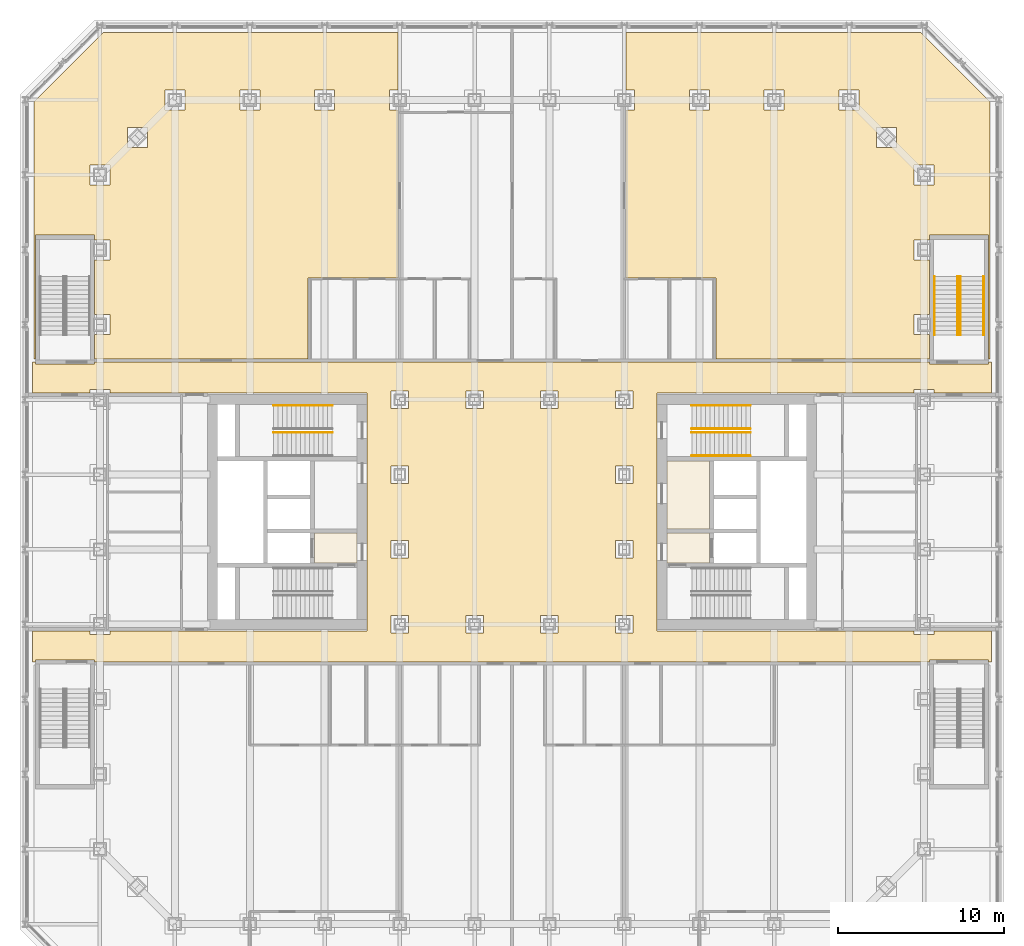
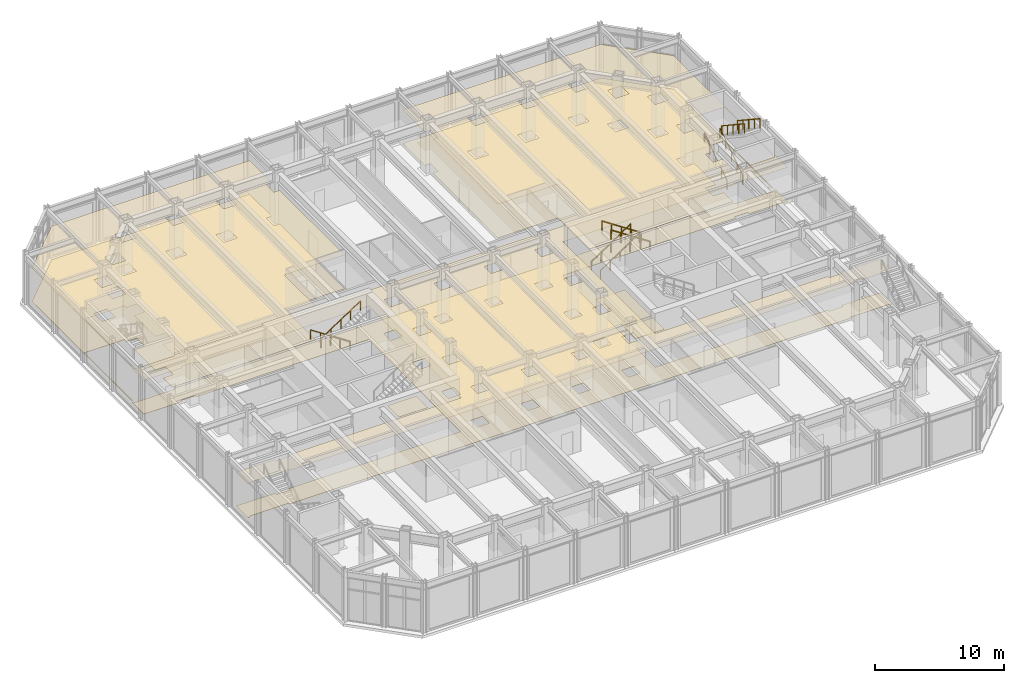
# One storey, part 19 of 19: 10 railings, 2 coverings.
"""IFC4 building model written with IfcOpenShell, lengths in metres."""

from ifc_helpers import new_model, si_unit, direction, frame, origin, origin_2d, place, context, subcontext, project, spatial, line, indexed_curve, circle, outline, extrude, material, layer, layer_set, type_object, element, save


model = new_model("IFC4")

# Units and contexts
model_context = context("Model", 3, precision=1e-05, world=origin(), true_north=direction((0.0, 1.0)))
body_context = subcontext(model_context, "Body", "Model", "MODEL_VIEW")
ifc_project = project(units=[si_unit("LENGTHUNIT", "METRE"), si_unit("AREAUNIT", "SQUARE_METRE"), si_unit("VOLUMEUNIT", "CUBIC_METRE"), si_unit("PLANEANGLEUNIT", "RADIAN"), si_unit("MASSUNIT", "GRAM", prefix="KILO")], contexts=[model_context])

# Site, building, storey
site_placement = place(None, origin())
site = spatial("IfcSite", under=ifc_project, at=site_placement, CompositionType="ELEMENT")
building_placement = place(site_placement, origin())
building = spatial("IfcBuilding", under=site, at=building_placement, Name="Msasa Ring Tower", CompositionType="ELEMENT")
storey_placement = place(building_placement, frame((0.0, 0.0, 11.0)))
storey = spatial("IfcBuildingStorey", under=building, at=storey_placement, Name="L02", CompositionType="ELEMENT", Elevation=11.0)

# Coverings
ifc_material_1 = material(Name="Gypsum plasterboard on a steel suspension grid", Category="steel")
ifc_layer_1 = layer(ifc_material_1, 0.014892578125)
ifc_layer_set_1 = layer_set([ifc_layer_1], Name="C1 SUSPENDED PLASTERBOARD CEILING 15")
covering_type_1 = type_object("IfcCoveringType", Name="C1 SUSPENDED PLASTERBOARD CEILING 15", PredefinedType="CEILING", material=ifc_layer_set_1)
covering_1_placement = place(storey_placement, frame((0.0, 0.0, 3.199951171875)))
element("IfcCovering", 1, at=covering_1_placement, inside=storey, type_object=covering_type_1, Name="Suspended Plasterboard Ceiling 15 public rooms L02", PredefinedType="CEILING", context=body_context, shape_type="SweptSolid", body=[
    extrude(outline(indexed_curve([(-25.3505859375, -7.150390625), (-25.3505859375, -7.3505859375), (-24.1494140625, -7.3505859375), (-24.1494140625, -7.150390625), (-8.699462890625, -7.150390625), (-8.699462890625, 7.150390625), (-24.1494140625, 7.150390625), (-24.1494140625, 7.3505859375), (-25.3505859375, 7.3505859375), (-25.3505859375, 7.150390625), (-28.799560546875, 7.150390625), (-28.799560546875, 8.99951171875), (-28.625, 8.99951171875), (-28.625, 8.87451171875), (-25.074951171875, 8.87451171875), (-25.074951171875, 8.99951171875), (25.074951171875, 8.99951171875), (25.074951171875, 8.87451171875), (28.625, 8.87451171875), (28.625, 8.99951171875), (28.799560546875, 8.99951171875), (28.799560546875, 7.150390625), (25.3505859375, 7.150390625), (25.3505859375, 7.3505859375), (24.1494140625, 7.3505859375), (24.1494140625, 7.150390625), (8.699462890625, 7.150390625), (8.699462890625, -7.150390625), (24.1494140625, -7.150390625), (24.1494140625, -7.3505859375), (25.3505859375, -7.3505859375), (25.3505859375, -7.150390625), (28.799560546875, -7.150390625), (28.799560546875, -8.99951171875), (28.625, -8.99951171875), (28.625, -8.87451171875), (25.074951171875, -8.87451171875), (25.074951171875, -8.99951171875), (-25.074951171875, -8.99951171875), (-25.074951171875, -8.87451171875), (-28.625, -8.87451171875), (-28.625, -8.99951171875), (-28.799560546875, -8.99951171875), (-28.799560546875, -7.150390625)], segments=[line(1, 2, 3, 4, 5, 6, 7, 8, 9, 10, 11, 12, 13, 14, 15, 16, 17, 18, 19, 20, 21, 22, 23, 24, 25, 26, 27, 28, 29, 30, 31, 32, 33, 34, 35, 36, 37, 38, 39, 40, 41, 42, 43, 44, 1)], self_intersect=False), holes=[indexed_curve([(-6.224609375, -7.275390625), (-6.224609375, -6.224609375), (-7.275390625, -6.224609375), (-7.275390625, -7.275390625)], segments=[line(1, 2, 3, 4, 1)], self_intersect=False), indexed_curve([(-2.775390625, -7.275390625), (-1.724609375, -7.275390625), (-1.724609375, -6.224609375), (-2.775390625, -6.224609375)], segments=[line(1, 2, 3, 4, 1)], self_intersect=False), indexed_curve([(1.724609375, -7.275390625), (2.775390625, -7.275390625), (2.775390625, -6.224609375), (1.724609375, -6.224609375)], segments=[line(1, 2, 3, 4, 1)], self_intersect=False), indexed_curve([(7.275390625, -7.275390625), (7.275390625, -6.224609375), (6.224609375, -6.224609375), (6.224609375, -7.275390625)], segments=[line(1, 2, 3, 4, 1)], self_intersect=False), indexed_curve([(-7.275390625, -2.775390625), (-6.224609375, -2.775390625), (-6.224609375, -1.724609375), (-7.275390625, -1.724609375)], segments=[line(1, 2, 3, 4, 1)], self_intersect=False), indexed_curve([(6.224609375, -2.775390625), (7.275390625, -2.775390625), (7.275390625, -1.724609375), (6.224609375, -1.724609375)], segments=[line(1, 2, 3, 4, 1)], self_intersect=False), indexed_curve([(-6.224609375, 1.724609375), (-6.224609375, 2.775390625), (-7.275390625, 2.775390625), (-7.275390625, 1.724609375)], segments=[line(1, 2, 3, 4, 1)], self_intersect=False), indexed_curve([(7.275390625, 1.724609375), (7.275390625, 2.775390625), (6.224609375, 2.775390625), (6.224609375, 1.724609375)], segments=[line(1, 2, 3, 4, 1)], self_intersect=False), indexed_curve([(-6.224609375, 6.224609375), (-6.224609375, 7.275390625), (-7.275390625, 7.275390625), (-7.275390625, 6.224609375)], segments=[line(1, 2, 3, 4, 1)], self_intersect=False), indexed_curve([(-2.775390625, 6.224609375), (-1.724609375, 6.224609375), (-1.724609375, 7.275390625), (-2.775390625, 7.275390625)], segments=[line(1, 2, 3, 4, 1)], self_intersect=False), indexed_curve([(1.724609375, 6.224609375), (2.775390625, 6.224609375), (2.775390625, 7.275390625), (1.724609375, 7.275390625)], segments=[line(1, 2, 3, 4, 1)], self_intersect=False), indexed_curve([(7.275390625, 6.224609375), (7.275390625, 7.275390625), (6.224609375, 7.275390625), (6.224609375, 6.224609375)], segments=[line(1, 2, 3, 4, 1)], self_intersect=False)]), origin(), (0.0, 0.0, 1.0), 0.01513671875),
    extrude(outline(indexed_curve([(-25.069580078125, 9.200439453125), (-25.069580078125, 10.6494140625), (-24.1494140625, 10.6494140625), (-24.1494140625, 11.8505859375), (-25.069580078125, 11.8505859375), (-25.069580078125, 15.1494140625), (-24.1494140625, 15.1494140625), (-24.1494140625, 16.3505859375), (-25.069580078125, 16.3505859375), (-25.069580078125, 16.630615234375), (-28.630615234375, 16.630615234375), (-28.630615234375, 9.200439453125), (-28.699462890625, 9.200439453125), (-28.699462890625, 24.663330078125), (-24.5634765625, 28.799560546875), (-6.8505859375, 28.799560546875), (-6.8505859375, 25.3505859375), (-7.3505859375, 25.3505859375), (-7.3505859375, 24.1494140625), (-6.8505859375, 24.1494140625), (-6.8505859375, 14.060546875), (-12.25048828125, 14.060546875), (-12.25048828125, 9.200439453125)], segments=[line(1, 2, 3, 4, 5, 6, 7, 8, 9, 10, 11, 12, 13, 14, 15, 16, 17, 18, 19, 20, 21, 22, 23, 1)], self_intersect=False), holes=[indexed_curve([(-25.3505859375, 19.6494140625), (-24.1494140625, 19.6494140625), (-24.1494140625, 20.8505859375), (-25.3505859375, 20.8505859375)], segments=[line(1, 2, 3, 4, 1)], self_intersect=False), indexed_curve([(-23.1005859375, 21.8994140625), (-21.8994140625, 21.8994140625), (-21.8994140625, 23.1005859375), (-23.1005859375, 23.1005859375)], segments=[line(1, 2, 3, 4, 1)], self_intersect=False), indexed_curve([(-19.6494140625, 24.1494140625), (-19.6494140625, 25.3505859375), (-20.8505859375, 25.3505859375), (-20.8505859375, 24.1494140625)], segments=[line(1, 2, 3, 4, 1)], self_intersect=False), indexed_curve([(-15.1494140625, 24.1494140625), (-15.1494140625, 25.3505859375), (-16.3505859375, 25.3505859375), (-16.3505859375, 24.1494140625)], segments=[line(1, 2, 3, 4, 1)], self_intersect=False), indexed_curve([(-10.6494140625, 24.1494140625), (-10.6494140625, 25.3505859375), (-11.8505859375, 25.3505859375), (-11.8505859375, 24.1494140625)], segments=[line(1, 2, 3, 4, 1)], self_intersect=False)]), origin(), (0.0, 0.0, 1.0), 0.01513671875),
    extrude(outline(indexed_curve([(25.069580078125, 16.630615234375), (25.069580078125, 16.3505859375), (24.1494140625, 16.3505859375), (24.1494140625, 15.1494140625), (25.069580078125, 15.1494140625), (25.069580078125, 11.8505859375), (24.1494140625, 11.8505859375), (24.1494140625, 10.6494140625), (25.069580078125, 10.6494140625), (25.069580078125, 9.200439453125), (12.25048828125, 9.200439453125), (12.25048828125, 14.060546875), (6.8505859375, 14.060546875), (6.8505859375, 24.1494140625), (7.3505859375, 24.1494140625), (7.3505859375, 25.3505859375), (6.8505859375, 25.3505859375), (6.8505859375, 28.799560546875), (24.5634765625, 28.799560546875), (28.699462890625, 24.663330078125), (28.699462890625, 9.200439453125), (28.630615234375, 9.200439453125), (28.630615234375, 16.630615234375)], segments=[line(1, 2, 3, 4, 5, 6, 7, 8, 9, 10, 11, 12, 13, 14, 15, 16, 17, 18, 19, 20, 21, 22, 23, 1)], self_intersect=False), holes=[indexed_curve([(25.3505859375, 19.6494140625), (25.3505859375, 20.8505859375), (24.1494140625, 20.8505859375), (24.1494140625, 19.6494140625)], segments=[line(1, 2, 3, 4, 1)], self_intersect=False), indexed_curve([(21.8994140625, 21.8994140625), (23.1005859375, 21.8994140625), (23.1005859375, 23.1005859375), (21.8994140625, 23.1005859375)], segments=[line(1, 2, 3, 4, 1)], self_intersect=False), indexed_curve([(11.8505859375, 24.1494140625), (11.8505859375, 25.3505859375), (10.6494140625, 25.3505859375), (10.6494140625, 24.1494140625)], segments=[line(1, 2, 3, 4, 1)], self_intersect=False), indexed_curve([(15.1494140625, 24.1494140625), (16.3505859375, 24.1494140625), (16.3505859375, 25.3505859375), (15.1494140625, 25.3505859375)], segments=[line(1, 2, 3, 4, 1)], self_intersect=False), indexed_curve([(19.6494140625, 24.1494140625), (20.8505859375, 24.1494140625), (20.8505859375, 25.3505859375), (19.6494140625, 25.3505859375)], segments=[line(1, 2, 3, 4, 1)], self_intersect=False)]), origin(), (0.0, 0.0, 1.0), 0.01513671875),
])
ifc_material_2 = material(Name="Honed granite tiles on a mortar bed", Category="masonry")
ifc_layer_2 = layer(ifc_material_2, 0.030029296875)
ifc_layer_set_2 = layer_set([ifc_layer_2], Name="F1 HONED GRANITE ON BEDDING 30")
covering_type_2 = type_object("IfcCoveringType", Name="F1 HONED GRANITE ON BEDDING 30", PredefinedType="FLOORING", material=ifc_layer_set_2)
covering_2_placement = place(storey_placement, origin())
element("IfcCovering", 2, at=covering_2_placement, inside=storey, type_object=covering_type_2, Name="Honed Granite On Bedding 30 L02", PredefinedType="FLOORING", context=body_context, shape_type="SweptSolid", body=[
    extrude(outline(indexed_curve([(-28.799560546875, 8.99951171875), (-28.625, 8.99951171875), (-28.625, 8.87451171875), (-25.074951171875, 8.87451171875), (-25.074951171875, 8.99951171875), (25.074951171875, 8.99951171875), (25.074951171875, 8.87451171875), (28.625, 8.87451171875), (28.625, 8.99951171875), (28.799560546875, 8.99951171875), (28.799560546875, 7.150390625), (25.3505859375, 7.150390625), (25.3505859375, 7.3505859375), (24.1494140625, 7.3505859375), (24.1494140625, 7.150390625), (8.699462890625, 7.150390625), (8.699462890625, -7.150390625), (24.1494140625, -7.150390625), (24.1494140625, -7.3505859375), (25.3505859375, -7.3505859375), (25.3505859375, -7.150390625), (28.799560546875, -7.150390625), (28.799560546875, -8.99951171875), (28.625, -8.99951171875), (28.625, -8.87451171875), (25.074951171875, -8.87451171875), (25.074951171875, -8.99951171875), (-25.074951171875, -8.99951171875), (-25.074951171875, -8.87451171875), (-28.625, -8.87451171875), (-28.625, -8.99951171875), (-28.799560546875, -8.99951171875), (-28.799560546875, -7.150390625), (-25.3505859375, -7.150390625), (-25.3505859375, -7.3505859375), (-24.1494140625, -7.3505859375), (-24.1494140625, -7.150390625), (-8.699462890625, -7.150390625), (-8.699462890625, 7.150390625), (-24.1494140625, 7.150390625), (-24.1494140625, 7.3505859375), (-25.3505859375, 7.3505859375), (-25.3505859375, 7.150390625), (-28.799560546875, 7.150390625)], segments=[line(1, 2, 3, 4, 5, 6, 7, 8, 9, 10, 11, 12, 13, 14, 15, 16, 17, 18, 19, 20, 21, 22, 23, 24, 25, 26, 27, 28, 29, 30, 31, 32, 33, 34, 35, 36, 37, 38, 39, 40, 41, 42, 43, 44, 1)], self_intersect=False), holes=[indexed_curve([(-7.275390625, -2.775390625), (-6.224609375, -2.775390625), (-6.224609375, -1.724609375), (-7.275390625, -1.724609375)], segments=[line(1, 2, 3, 4, 1)], self_intersect=False), indexed_curve([(7.275390625, -7.275390625), (7.275390625, -6.224609375), (6.224609375, -6.224609375), (6.224609375, -7.275390625)], segments=[line(1, 2, 3, 4, 1)], self_intersect=False), indexed_curve([(-7.275390625, -7.275390625), (-6.224609375, -7.275390625), (-6.224609375, -6.224609375), (-7.275390625, -6.224609375)], segments=[line(1, 2, 3, 4, 1)], self_intersect=False), indexed_curve([(-2.775390625, -7.275390625), (-1.724609375, -7.275390625), (-1.724609375, -6.224609375), (-2.775390625, -6.224609375)], segments=[line(1, 2, 3, 4, 1)], self_intersect=False), indexed_curve([(2.775390625, -7.275390625), (2.775390625, -6.224609375), (1.724609375, -6.224609375), (1.724609375, -7.275390625)], segments=[line(1, 2, 3, 4, 1)], self_intersect=False), indexed_curve([(6.224609375, -2.775390625), (7.275390625, -2.775390625), (7.275390625, -1.724609375), (6.224609375, -1.724609375)], segments=[line(1, 2, 3, 4, 1)], self_intersect=False), indexed_curve([(7.275390625, 1.724609375), (7.275390625, 2.775390625), (6.224609375, 2.775390625), (6.224609375, 1.724609375)], segments=[line(1, 2, 3, 4, 1)], self_intersect=False), indexed_curve([(-7.275390625, 1.724609375), (-6.224609375, 1.724609375), (-6.224609375, 2.775390625), (-7.275390625, 2.775390625)], segments=[line(1, 2, 3, 4, 1)], self_intersect=False), indexed_curve([(-2.775390625, 6.224609375), (-1.724609375, 6.224609375), (-1.724609375, 7.275390625), (-2.775390625, 7.275390625)], segments=[line(1, 2, 3, 4, 1)], self_intersect=False), indexed_curve([(2.775390625, 6.224609375), (2.775390625, 7.275390625), (1.724609375, 7.275390625), (1.724609375, 6.224609375)], segments=[line(1, 2, 3, 4, 1)], self_intersect=False), indexed_curve([(6.224609375, 6.224609375), (7.275390625, 6.224609375), (7.275390625, 7.275390625), (6.224609375, 7.275390625)], segments=[line(1, 2, 3, 4, 1)], self_intersect=False), indexed_curve([(-7.275390625, 6.224609375), (-6.224609375, 6.224609375), (-6.224609375, 7.275390625), (-7.275390625, 7.275390625)], segments=[line(1, 2, 3, 4, 1)], self_intersect=False)]), origin(), (0.0, 0.0, 1.0), 0.030029296875),
    extrude(outline(indexed_curve([(-28.630615234375, 16.630615234375), (-28.630615234375, 9.200439453125), (-28.699462890625, 9.200439453125), (-28.699462890625, 24.663330078125), (-24.5634765625, 28.799560546875), (-6.8505859375, 28.799560546875), (-6.8505859375, 25.3505859375), (-7.3505859375, 25.3505859375), (-7.3505859375, 24.1494140625), (-6.8505859375, 24.1494140625), (-6.8505859375, 14.060546875), (-12.25048828125, 14.060546875), (-12.25048828125, 9.200439453125), (-25.069580078125, 9.200439453125), (-25.069580078125, 10.6494140625), (-24.1494140625, 10.6494140625), (-24.1494140625, 11.8505859375), (-25.069580078125, 11.8505859375), (-25.069580078125, 15.1494140625), (-24.1494140625, 15.1494140625), (-24.1494140625, 16.3505859375), (-25.069580078125, 16.3505859375), (-25.069580078125, 16.630615234375)], segments=[line(1, 2, 3, 4, 5, 6, 7, 8, 9, 10, 11, 12, 13, 14, 15, 16, 17, 18, 19, 20, 21, 22, 23, 1)], self_intersect=False), holes=[indexed_curve([(-24.1494140625, 19.6494140625), (-24.1494140625, 20.8505859375), (-25.3505859375, 20.8505859375), (-25.3505859375, 19.6494140625)], segments=[line(1, 2, 3, 4, 1)], self_intersect=False), indexed_curve([(-23.1005859375, 21.8994140625), (-21.8994140625, 21.8994140625), (-21.8994140625, 23.1005859375), (-23.1005859375, 23.1005859375)], segments=[line(1, 2, 3, 4, 1)], self_intersect=False), indexed_curve([(-20.8505859375, 24.1494140625), (-19.6494140625, 24.1494140625), (-19.6494140625, 25.3505859375), (-20.8505859375, 25.3505859375)], segments=[line(1, 2, 3, 4, 1)], self_intersect=False), indexed_curve([(-15.1494140625, 24.1494140625), (-15.1494140625, 25.3505859375), (-16.3505859375, 25.3505859375), (-16.3505859375, 24.1494140625)], segments=[line(1, 2, 3, 4, 1)], self_intersect=False), indexed_curve([(-11.8505859375, 24.1494140625), (-10.6494140625, 24.1494140625), (-10.6494140625, 25.3505859375), (-11.8505859375, 25.3505859375)], segments=[line(1, 2, 3, 4, 1)], self_intersect=False)]), origin(), (0.0, 0.0, 1.0), 0.030029296875),
    extrude(outline(indexed_curve([(-11.87451171875, -3.074462890625), (-11.87451171875, -1.275390625), (-9.300537109375, -1.275390625), (-9.300537109375, -3.074462890625)], segments=[line(1, 2, 3, 4, 1)], self_intersect=False)), origin(), (0.0, 0.0, 1.0), 0.030029296875),
    extrude(outline(indexed_curve([(12.25048828125, 9.200439453125), (12.25048828125, 14.060546875), (6.8505859375, 14.060546875), (6.8505859375, 24.1494140625), (7.3505859375, 24.1494140625), (7.3505859375, 25.3505859375), (6.8505859375, 25.3505859375), (6.8505859375, 28.799560546875), (24.5634765625, 28.799560546875), (28.699462890625, 24.663330078125), (28.699462890625, 9.200439453125), (28.630615234375, 9.200439453125), (28.630615234375, 16.630615234375), (25.069580078125, 16.630615234375), (25.069580078125, 16.3505859375), (24.1494140625, 16.3505859375), (24.1494140625, 15.1494140625), (25.069580078125, 15.1494140625), (25.069580078125, 11.8505859375), (24.1494140625, 11.8505859375), (24.1494140625, 10.6494140625), (25.069580078125, 10.6494140625), (25.069580078125, 9.200439453125)], segments=[line(1, 2, 3, 4, 5, 6, 7, 8, 9, 10, 11, 12, 13, 14, 15, 16, 17, 18, 19, 20, 21, 22, 23, 1)], self_intersect=False), holes=[indexed_curve([(11.8505859375, 24.1494140625), (11.8505859375, 25.3505859375), (10.6494140625, 25.3505859375), (10.6494140625, 24.1494140625)], segments=[line(1, 2, 3, 4, 1)], self_intersect=False), indexed_curve([(24.1494140625, 19.6494140625), (25.3505859375, 19.6494140625), (25.3505859375, 20.8505859375), (24.1494140625, 20.8505859375)], segments=[line(1, 2, 3, 4, 1)], self_intersect=False), indexed_curve([(21.8994140625, 21.8994140625), (23.1005859375, 21.8994140625), (23.1005859375, 23.1005859375), (21.8994140625, 23.1005859375)], segments=[line(1, 2, 3, 4, 1)], self_intersect=False), indexed_curve([(15.1494140625, 24.1494140625), (16.3505859375, 24.1494140625), (16.3505859375, 25.3505859375), (15.1494140625, 25.3505859375)], segments=[line(1, 2, 3, 4, 1)], self_intersect=False), indexed_curve([(19.6494140625, 24.1494140625), (20.8505859375, 24.1494140625), (20.8505859375, 25.3505859375), (19.6494140625, 25.3505859375)], segments=[line(1, 2, 3, 4, 1)], self_intersect=False)]), origin(), (0.0, 0.0, 1.0), 0.030029296875),
    extrude(outline(indexed_curve([(9.300537109375, -1.275390625), (11.87451171875, -1.275390625), (11.87451171875, -3.074462890625), (9.300537109375, -3.074462890625)], segments=[line(1, 2, 3, 4, 1)], self_intersect=False)), origin(), (0.0, 0.0, 1.0), 0.030029296875),
    extrude(outline(indexed_curve([(9.300537109375, -1.0244140625), (9.300537109375, 3.074462890625), (11.87451171875, 3.074462890625), (11.87451171875, -1.0244140625)], segments=[line(1, 2, 3, 4, 1)], self_intersect=False)), origin(), (0.0, 0.0, 1.0), 0.030029296875),
])

# Railings
ifc_material_3 = material(Name="Stainless steel", Category="steel")
railing_type = type_object("IfcRailingType", Name="HR1 HANDRAIL 900", PredefinedType="HANDRAIL", material=ifc_material_3)
for number, where, name in (
    (3, (10.800048828125, 5.0, 0.178466796875), "Handrail stair SEB L02 1"),
    (4, (10.800048828125, 6.39990234375, 0.178466796875), "Handrail stair SEB L02 2"),
):
    element("IfcRailing", number, at=place(storey_placement, frame(where)), inside=storey, type_object=railing_type, Name=name, PredefinedType="HANDRAIL", context=body_context, shape_type="SweptSolid", body=[
        extrude(circle(Radius=0.02392578125, at=origin_2d()), frame((0.0, 0.0, 0.8759765625), z_axis=(0.834070780157, 0.0, 0.551657442339), x_axis=(0.0, 1.0, 0.0)), (0.0, 0.0, 1.0), 4.208251953125),
        extrude(circle(Radius=0.02099609375, at=origin_2d()), origin(), (0.0, 0.0, 1.0), 0.851806640625),
        extrude(circle(Radius=0.02099609375, at=origin_2d()), frame((0.87744140625, 0.0, 0.580322265625)), (0.0, 0.0, 1.0), 0.851806640625),
        extrude(circle(Radius=0.02099609375, at=origin_2d()), frame((1.7548828125, 0.0, 1.16064453125)), (0.0, 0.0, 1.0), 0.851806640625),
        extrude(circle(Radius=0.02099609375, at=origin_2d()), frame((2.632568359375, 0.0, 1.7412109375)), (0.0, 0.0, 1.0), 0.851806640625),
        extrude(circle(Radius=0.02099609375, at=origin_2d()), frame((3.510009765625, 0.0, 2.321533203125)), (0.0, 0.0, 1.0), 0.851806640625),
    ])
for number, where, name in (
    (5, (14.31005859375, 3.375, 2.678466796875), "Handrail stair SEB L02 3"),
    (6, (14.31005859375, 4.77490234375, 2.678466796875), "Handrail stair SEB L02 4"),
    (7, (-10.800048828125, 6.39990234375, 0.178466796875), "Handrail stair SWB L02 2"),
):
    element("IfcRailing", number, at=place(storey_placement, frame(where)), inside=storey, type_object=railing_type, Name=name, PredefinedType="HANDRAIL", context=body_context, shape_type="SweptSolid", body=[
        extrude(circle(Radius=0.02392578125, at=origin_2d()), frame((0.0, 0.0, 0.8759765625), z_axis=(-0.834070780157, 0.0, 0.551657442339), x_axis=(0.0, -1.0, 0.0)), (0.0, 0.0, 1.0), 4.208251953125),
        extrude(circle(Radius=0.02099609375, at=origin_2d()), origin(), (0.0, 0.0, 1.0), 0.851806640625),
        extrude(circle(Radius=0.02099609375, at=origin_2d()), frame((-0.87744140625, 0.0, 0.580322265625)), (0.0, 0.0, 1.0), 0.851806640625),
        extrude(circle(Radius=0.02099609375, at=origin_2d()), frame((-1.7548828125, 0.0, 1.16064453125)), (0.0, 0.0, 1.0), 0.851806640625),
        extrude(circle(Radius=0.02099609375, at=origin_2d()), frame((-2.632568359375, 0.0, 1.7412109375)), (0.0, 0.0, 1.0), 0.851806640625),
        extrude(circle(Radius=0.02099609375, at=origin_2d()), frame((-3.510009765625, 0.0, 2.321533203125)), (0.0, 0.0, 1.0), 0.851806640625),
    ])
railing_placement = place(storey_placement, frame((-14.31005859375, 4.77490234375, 2.678466796875)))
element("IfcRailing", 8, at=railing_placement, inside=storey, type_object=railing_type, Name="Handrail stair SWB L02 4", PredefinedType="HANDRAIL", context=body_context, shape_type="SweptSolid", body=[
    extrude(circle(Radius=0.02392578125, at=origin_2d()), frame((0.0, 0.0, 0.8759765625), z_axis=(0.834070780157, 0.0, 0.551657442339), x_axis=(0.0, 1.0, 0.0)), (0.0, 0.0, 1.0), 4.208251953125),
    extrude(circle(Radius=0.02099609375, at=origin_2d()), origin(), (0.0, 0.0, 1.0), 0.851806640625),
    extrude(circle(Radius=0.02099609375, at=origin_2d()), frame((0.87744140625, 0.0, 0.580322265625)), (0.0, 0.0, 1.0), 0.851806640625),
    extrude(circle(Radius=0.02099609375, at=origin_2d()), frame((1.7548828125, 0.0, 1.16064453125)), (0.0, 0.0, 1.0), 0.851806640625),
    extrude(circle(Radius=0.02099609375, at=origin_2d()), frame((2.632568359375, 0.0, 1.7412109375)), (0.0, 0.0, 1.0), 0.851806640625),
    extrude(circle(Radius=0.02099609375, at=origin_2d()), frame((3.510009765625, 0.0, 2.321533203125)), (0.0, 0.0, 1.0), 0.851806640625),
])
for number, where, name in (
    (9, (25.375, 10.625, 0.178466796875), "Handrail podium stair PEN L02 1"),
    (10, (26.77490234375, 10.625, 0.178466796875), "Handrail podium stair PEN L02 2"),
):
    element("IfcRailing", number, at=place(storey_placement, frame(where)), inside=storey, type_object=railing_type, Name=name, PredefinedType="HANDRAIL", context=body_context, shape_type="SweptSolid", body=[
        extrude(circle(Radius=0.02392578125, at=origin_2d()), frame((0.0, 0.0, 0.8759765625), z_axis=(0.0, 0.834070780157, 0.551657442339), x_axis=(-1.0, 0.0, 0.0)), (0.0, 0.0, 1.0), 4.208251953125),
        extrude(circle(Radius=0.02099609375, at=origin_2d()), origin(), (0.0, 0.0, 1.0), 0.851806640625),
        extrude(circle(Radius=0.02099609375, at=origin_2d()), frame((0.0, 0.87744140625, 0.580322265625)), (0.0, 0.0, 1.0), 0.851806640625),
        extrude(circle(Radius=0.02099609375, at=origin_2d()), frame((0.0, 1.7548828125, 1.16064453125)), (0.0, 0.0, 1.0), 0.851806640625),
        extrude(circle(Radius=0.02099609375, at=origin_2d()), frame((0.0, 2.632568359375, 1.7412109375)), (0.0, 0.0, 1.0), 0.851806640625),
        extrude(circle(Radius=0.02099609375, at=origin_2d()), frame((0.0, 3.510009765625, 2.321533203125)), (0.0, 0.0, 1.0), 0.851806640625),
    ])
for number, where, name in (
    (11, (26.925048828125, 14.135009765625, 2.678466796875), "Handrail podium stair PEN L02 3"),
    (12, (28.324951171875, 14.135009765625, 2.678466796875), "Handrail podium stair PEN L02 4"),
):
    element("IfcRailing", number, at=place(storey_placement, frame(where)), inside=storey, type_object=railing_type, Name=name, PredefinedType="HANDRAIL", context=body_context, shape_type="SweptSolid", body=[
        extrude(circle(Radius=0.02392578125, at=origin_2d()), frame((0.0, 0.0, 0.8759765625), z_axis=(0.0, -0.834070780157, 0.551657442339), x_axis=(1.0, 0.0, 0.0)), (0.0, 0.0, 1.0), 4.208251953125),
        extrude(circle(Radius=0.02099609375, at=origin_2d()), origin(), (0.0, 0.0, 1.0), 0.851806640625),
        extrude(circle(Radius=0.02099609375, at=origin_2d()), frame((0.0, -0.87744140625, 0.580322265625)), (0.0, 0.0, 1.0), 0.851806640625),
        extrude(circle(Radius=0.02099609375, at=origin_2d()), frame((0.0, -1.7548828125, 1.16064453125)), (0.0, 0.0, 1.0), 0.851806640625),
        extrude(circle(Radius=0.02099609375, at=origin_2d()), frame((0.0, -2.632568359375, 1.7412109375)), (0.0, 0.0, 1.0), 0.851806640625),
        extrude(circle(Radius=0.02099609375, at=origin_2d()), frame((0.0, -3.510009765625, 2.321533203125)), (0.0, 0.0, 1.0), 0.851806640625),
    ])

save(model, "model.ifc")
